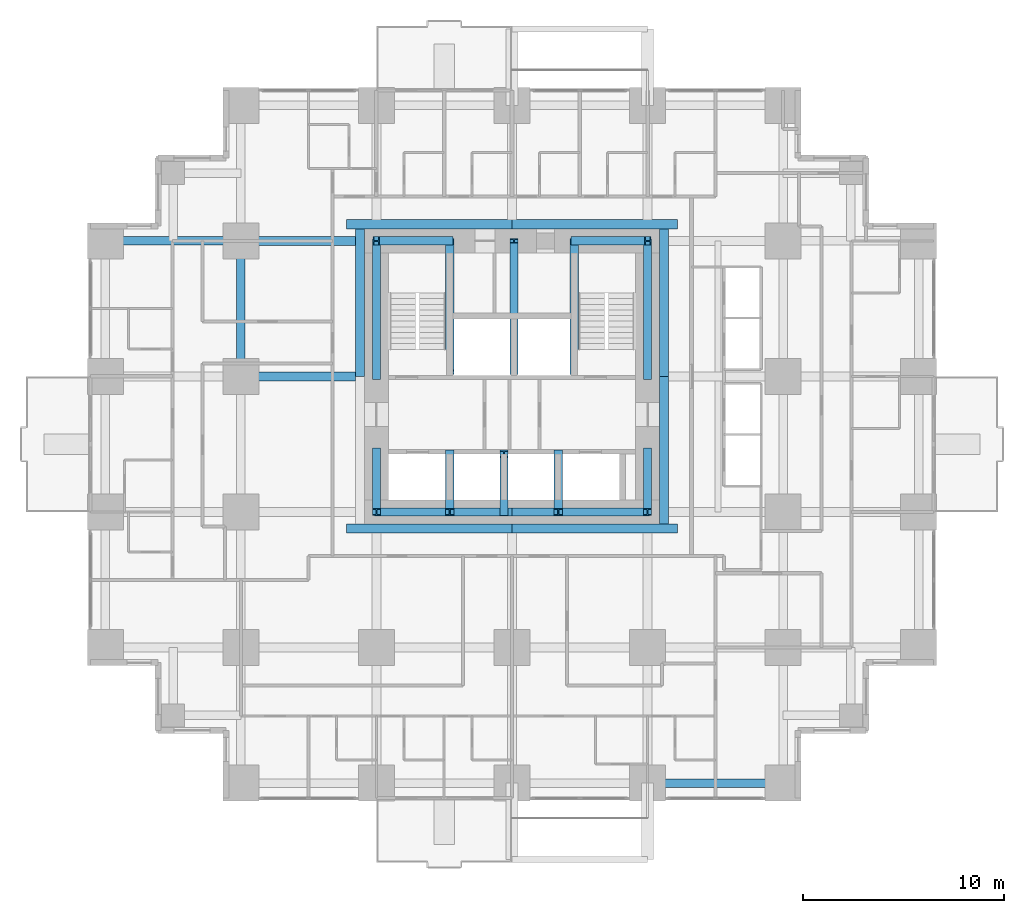
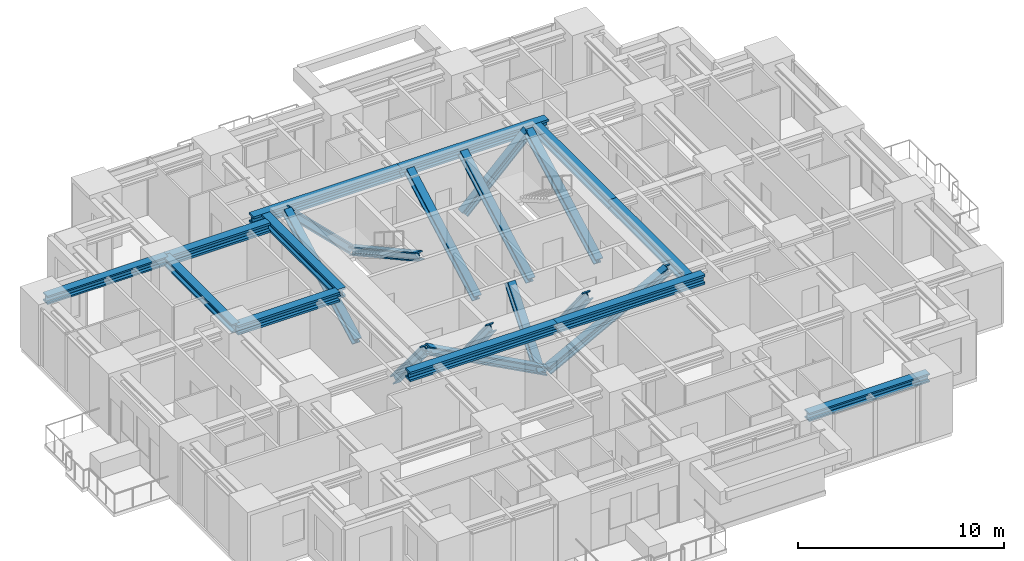
# One storey, part 3 of 13: 14 members, 12 beams.
"""IFC4 building model written with IfcOpenShell, lengths in metres."""

from ifc_helpers import new_model, si_unit, direction, frame, origin, origin_2d, place, context, subcontext, project, spatial, i_section, extrude, material, material_profile, profile_set, type_object, element, save


model = new_model("IFC4")

# Units and contexts
model_context = context("Model", 3, precision=1e-05, world=origin(), true_north=direction((0.0, 1.0)))
body_context = subcontext(model_context, "Body", "Model", "MODEL_VIEW")
ifc_project = project(units=[si_unit("LENGTHUNIT", "METRE"), si_unit("AREAUNIT", "SQUARE_METRE"), si_unit("VOLUMEUNIT", "CUBIC_METRE"), si_unit("PLANEANGLEUNIT", "RADIAN"), si_unit("MASSUNIT", "GRAM", prefix="KILO")], contexts=[model_context])

# Site, building, storey
site_placement = place(None, origin())
site = spatial("IfcSite", under=ifc_project, at=site_placement, CompositionType="ELEMENT")
building_placement = place(site_placement, origin())
building = spatial("IfcBuilding", under=site, at=building_placement, Name="Nyansa Garden Tower", CompositionType="ELEMENT")
storey_placement = place(building_placement, frame((0.0, 0.0, 87.300048828125)))
storey = spatial("IfcBuildingStorey", under=building, at=storey_placement, Name="L23", CompositionType="ELEMENT", Elevation=87.300048828125)

# Members
ifc_material_1 = material(Name="Steel S355", Category="steel")
ifc_material_profile_1 = material_profile(ifc_material_1, i_section(OverallWidth=0.41796875, OverallDepth=0.455078125, WebThickness=0.0419921875, FlangeThickness=0.067626953125, FilletRadius=0.014892578125, at=origin_2d()), Name="HD 400x463")
ifc_profile_set_1 = profile_set([ifc_material_profile_1], Name="Steel S355")
member_type = type_object("IfcMemberType", Name="Perimeter brace HD 400x463", PredefinedType="BRACE", material=ifc_profile_set_1)
for number, where, z_axis, x_axis, name in (
    (1, (20.25, 13.5, 0.0), (-0.882360891967, 0.0, 0.470573327259), (0.0, -1.0, 0.0), "Core brace CS1 L23"),
    (2, (20.25, 13.5, 0.0), (0.882360891967, 0.0, 0.470573327259), (0.0, 1.0, 0.0), "Core brace CS2 L23"),
):
    element("IfcMember", number, at=place(storey_placement, frame(where, z_axis=z_axis, x_axis=x_axis)), inside=storey, type_object=member_type, Name=name, PredefinedType="BRACE", context=body_context, shape_type="SweptSolid", body=[
        extrude(i_section(OverallWidth=0.41796875, OverallDepth=0.455078125, WebThickness=0.0419921875, FlangeThickness=0.067626953125, FilletRadius=0.014892578125, at=origin_2d()), origin(), (0.0, 0.0, 1.0), 7.64990234375),
    ])
for number, where, z_axis, x_axis, name in (
    (3, (17.14990234375, 27.0, 0.0), (-0.711971340796, 0.0, 0.702208523079), (0.0, -1.0, 0.0), "Core brace CN3 L23"),
    (4, (23.35009765625, 27.0, 0.0), (0.711971340796, 0.0, 0.702208523079), (0.0, 1.0, 0.0), "Core brace CN4 L23"),
):
    element("IfcMember", number, at=place(storey_placement, frame(where, z_axis=z_axis, x_axis=x_axis)), inside=storey, type_object=member_type, Name=name, PredefinedType="BRACE", context=body_context, shape_type="SweptSolid", body=[
        extrude(i_section(OverallWidth=0.41796875, OverallDepth=0.455078125, WebThickness=0.0419921875, FlangeThickness=0.067626953125, FilletRadius=0.014892578125, at=origin_2d()), origin(), (0.0, 0.0, 1.0), 5.12646484375),
    ])
member_1_placement = place(storey_placement, frame((13.5, 16.5, 0.0), z_axis=(0.0, -0.640199773186, 0.768208468069), x_axis=(1.0, 0.0, 0.0)))
element("IfcMember", 5, at=member_1_placement, inside=storey, type_object=member_type, Name="Core brace CW5 L23", PredefinedType="BRACE", context=body_context, shape_type="SweptSolid", body=[
    extrude(i_section(OverallWidth=0.41796875, OverallDepth=0.455078125, WebThickness=0.0419921875, FlangeThickness=0.067626953125, FilletRadius=0.014892578125, at=origin_2d()), origin(), (0.0, 0.0, 1.0), 4.68603515625),
])
member_2_placement = place(storey_placement, frame((13.5, 20.199951171875, 0.0), z_axis=(0.0, 0.883797178129, 0.467870225524), x_axis=(-1.0, 0.0, 0.0)))
element("IfcMember", 6, at=member_2_placement, inside=storey, type_object=member_type, Name="Core brace CW6 L23", PredefinedType="BRACE", context=body_context, shape_type="SweptSolid", body=[
    extrude(i_section(OverallWidth=0.41796875, OverallDepth=0.455078125, WebThickness=0.0419921875, FlangeThickness=0.067626953125, FilletRadius=0.014892578125, at=origin_2d()), origin(), (0.0, 0.0, 1.0), 7.694091796875),
])
member_3_placement = place(storey_placement, frame((27.0, 16.5, 0.0), z_axis=(0.0, -0.640199773186, 0.768208468069), x_axis=(1.0, 0.0, 0.0)))
element("IfcMember", 7, at=member_3_placement, inside=storey, type_object=member_type, Name="Core brace CE7 L23", PredefinedType="BRACE", context=body_context, shape_type="SweptSolid", body=[
    extrude(i_section(OverallWidth=0.41796875, OverallDepth=0.455078125, WebThickness=0.0419921875, FlangeThickness=0.067626953125, FilletRadius=0.014892578125, at=origin_2d()), origin(), (0.0, 0.0, 1.0), 4.68603515625),
])
member_4_placement = place(storey_placement, frame((27.0, 20.199951171875, 0.0), z_axis=(0.0, 0.883797178129, 0.467870225524), x_axis=(-1.0, 0.0, 0.0)))
element("IfcMember", 8, at=member_4_placement, inside=storey, type_object=member_type, Name="Core brace CE8 L23", PredefinedType="BRACE", context=body_context, shape_type="SweptSolid", body=[
    extrude(i_section(OverallWidth=0.41796875, OverallDepth=0.455078125, WebThickness=0.0419921875, FlangeThickness=0.067626953125, FilletRadius=0.014892578125, at=origin_2d()), origin(), (0.0, 0.0, 1.0), 7.694091796875),
])
for number, where, z_axis, x_axis, name in (
    (9, (17.14990234375, 27.0, 0.0), (0.0, -0.876366901673, 0.481644115143), (1.0, 0.0, 0.0), "Core brace CWS9 L23"),
    (10, (23.35009765625, 20.449951171875, 0.0), (0.0, 0.876366901673, 0.481644115143), (-1.0, 0.0, 0.0), "Core brace CES10 L23"),
):
    element("IfcMember", number, at=place(storey_placement, frame(where, z_axis=z_axis, x_axis=x_axis)), inside=storey, type_object=member_type, Name=name, PredefinedType="BRACE", context=body_context, shape_type="SweptSolid", body=[
        extrude(i_section(OverallWidth=0.41796875, OverallDepth=0.455078125, WebThickness=0.0419921875, FlangeThickness=0.067626953125, FilletRadius=0.014892578125, at=origin_2d()), origin(), (0.0, 0.0, 1.0), 7.47412109375),
    ])
for number, where, z_axis, x_axis, name in (
    (11, (17.14990234375, 16.39990234375, 0.0), (0.0, -0.627332207022, 0.778751758928), (1.0, 0.0, 0.0), "Core brace CSW11 L23"),
    (12, (19.85009765625, 13.5, 0.0), (0.0, 0.627332207022, 0.778751758928), (-1.0, 0.0, 0.0), "Core brace CSW12 L23"),
    (13, (22.550048828125, 16.39990234375, 0.0), (0.0, -0.627332207022, 0.778751758928), (1.0, 0.0, 0.0), "Core brace CSW13 L23"),
):
    element("IfcMember", number, at=place(storey_placement, frame(where, z_axis=z_axis, x_axis=x_axis)), inside=storey, type_object=member_type, Name=name, PredefinedType="BRACE", context=body_context, shape_type="SweptSolid", body=[
        extrude(i_section(OverallWidth=0.41796875, OverallDepth=0.455078125, WebThickness=0.0419921875, FlangeThickness=0.067626953125, FilletRadius=0.014892578125, at=origin_2d()), origin(), (0.0, 0.0, 1.0), 4.62255859375),
    ])
member_5_placement = place(storey_placement, frame((20.35009765625, 20.449951171875, 0.0), z_axis=(0.0, 0.876366901673, 0.481644115143), x_axis=(-1.0, 0.0, 0.0)))
element("IfcMember", 14, at=member_5_placement, inside=storey, type_object=member_type, Name="Core brace CNW14 L23", PredefinedType="BRACE", context=body_context, shape_type="SweptSolid", body=[
    extrude(i_section(OverallWidth=0.41796875, OverallDepth=0.455078125, WebThickness=0.0419921875, FlangeThickness=0.067626953125, FilletRadius=0.014892578125, at=origin_2d()), origin(), (0.0, 0.0, 1.0), 7.47412109375),
])

# Beams
ifc_material_2 = material(Name="Steel S355", Category="steel")
ifc_material_profile_2 = material_profile(ifc_material_2, i_section(OverallWidth=0.431884765625, OverallDepth=0.498046875, WebThickness=0.0556640625, FlangeThickness=0.0888671875, FilletRadius=0.014892578125, at=origin_2d()), Name="HD 400x744")
ifc_profile_set_2 = profile_set([ifc_material_profile_2], Name="Steel S355")
beam_type_1 = type_object("IfcBeamType", Name="Steel beam SBB1-744 HD 400x744", PredefinedType="BEAM", material=ifc_profile_set_2)
for number, where, z_axis, x_axis, name in (
    (15, (0.0, 27.0, 3.1259765625), (1.0, 0.0, 0.0), (0.0, 1.0, 0.0), "Steel beam 2/H-3/H L24"),
    (16, (6.75, 20.25, 3.1259765625), (0.0, 1.0, 0.0), (-1.0, 0.0, 0.0), "Steel beam 3/G-3/H L24"),
):
    element("IfcBeam", number, at=place(storey_placement, frame(where, z_axis=z_axis, x_axis=x_axis)), inside=storey, type_object=beam_type_1, Name=name, PredefinedType="BEAM", context=body_context, shape_type="SweptSolid", body=[
        extrude(i_section(OverallWidth=0.431884765625, OverallDepth=0.498046875, WebThickness=0.0556640625, FlangeThickness=0.0888671875, FilletRadius=0.014892578125, at=origin_2d()), origin(), (0.0, 0.0, 1.0), 6.75),
    ])
ifc_material_3 = material(Name="Steel S355", Category="steel")
ifc_material_profile_3 = material_profile(ifc_material_3, i_section(OverallWidth=0.4541015625, OverallDepth=0.569091796875, WebThickness=0.077880859375, FlangeThickness=0.125, FilletRadius=0.014892578125, at=origin_2d()), Name="HD 400x1086")
ifc_profile_set_3 = profile_set([ifc_material_profile_3], Name="Steel S355")
beam_type_2 = type_object("IfcBeamType", Name="Steel beam SCL-1086 HD 400x1086", PredefinedType="BEAM", material=ifc_profile_set_3)
for number, where, z_axis, x_axis, name in (
    (17, (6.75, 20.25, 3.09033203125), (1.0, 0.0, 0.0), (0.0, 1.0, 0.0), "Steel beam 3/G-12.450/G L24"),
    (18, (6.75, 27.0, 3.09033203125), (1.0, 0.0, 0.0), (0.0, 1.0, 0.0), "Steel beam 3/H-12.450/H L24"),
):
    element("IfcBeam", number, at=place(storey_placement, frame(where, z_axis=z_axis, x_axis=x_axis)), inside=storey, type_object=beam_type_2, Name=name, PredefinedType="BEAM", context=body_context, shape_type="SweptSolid", body=[
        extrude(i_section(OverallWidth=0.4541015625, OverallDepth=0.569091796875, WebThickness=0.077880859375, FlangeThickness=0.125, FilletRadius=0.014892578125, at=origin_2d()), origin(), (0.0, 0.0, 1.0), 5.699951171875),
    ])
for number, where, z_axis, x_axis, name in (
    (19, (12.0, 12.673095703125, 3.09033203125), (1.0, 0.0, 0.0), (0.0, 1.0, 0.0), "Steel core ledger beam S.1 L24"),
    (20, (20.25, 12.673095703125, 3.09033203125), (1.0, 0.0, 0.0), (0.0, 1.0, 0.0), "Steel core ledger beam S.2 L24"),
):
    element("IfcBeam", number, at=place(storey_placement, frame(where, z_axis=z_axis, x_axis=x_axis)), inside=storey, type_object=beam_type_2, Name=name, PredefinedType="BEAM", context=body_context, shape_type="SweptSolid", body=[
        extrude(i_section(OverallWidth=0.4541015625, OverallDepth=0.569091796875, WebThickness=0.077880859375, FlangeThickness=0.125, FilletRadius=0.014892578125, at=origin_2d()), origin(), (0.0, 0.0, 1.0), 8.25),
    ])
for number, where, z_axis, x_axis, name in (
    (21, (27.826904296875, 12.89990234375, 3.09033203125), (0.0, 1.0, 0.0), (-1.0, 0.0, 0.0), "Steel core ledger beam E.1 L24"),
    (22, (27.826904296875, 20.25, 3.09033203125), (0.0, 1.0, 0.0), (-1.0, 0.0, 0.0), "Steel core ledger beam E.2 L24"),
):
    element("IfcBeam", number, at=place(storey_placement, frame(where, z_axis=z_axis, x_axis=x_axis)), inside=storey, type_object=beam_type_2, Name=name, PredefinedType="BEAM", context=body_context, shape_type="SweptSolid", body=[
        extrude(i_section(OverallWidth=0.4541015625, OverallDepth=0.569091796875, WebThickness=0.077880859375, FlangeThickness=0.125, FilletRadius=0.014892578125, at=origin_2d()), origin(), (0.0, 0.0, 1.0), 7.35009765625),
    ])
for number, where, z_axis, x_axis, name in (
    (23, (28.5, 27.826904296875, 3.09033203125), (-1.0, 0.0, 0.0), (0.0, -1.0, 0.0), "Steel core ledger beam N.1 L24"),
    (24, (20.25, 27.826904296875, 3.09033203125), (-1.0, 0.0, 0.0), (0.0, -1.0, 0.0), "Steel core ledger beam N.2 L24"),
):
    element("IfcBeam", number, at=place(storey_placement, frame(where, z_axis=z_axis, x_axis=x_axis)), inside=storey, type_object=beam_type_2, Name=name, PredefinedType="BEAM", context=body_context, shape_type="SweptSolid", body=[
        extrude(i_section(OverallWidth=0.4541015625, OverallDepth=0.569091796875, WebThickness=0.077880859375, FlangeThickness=0.125, FilletRadius=0.014892578125, at=origin_2d()), origin(), (0.0, 0.0, 1.0), 8.25),
    ])
beam_1_placement = place(storey_placement, frame((12.673095703125, 27.60009765625, 3.09033203125), z_axis=(0.0, -1.0, 0.0), x_axis=(1.0, 0.0, 0.0)))
element("IfcBeam", 25, at=beam_1_placement, inside=storey, type_object=beam_type_2, Name="Steel core ledger beam W.1 L24", PredefinedType="BEAM", context=body_context, shape_type="SweptSolid", body=[
    extrude(i_section(OverallWidth=0.4541015625, OverallDepth=0.569091796875, WebThickness=0.077880859375, FlangeThickness=0.125, FilletRadius=0.014892578125, at=origin_2d()), origin(), (0.0, 0.0, 1.0), 7.35009765625),
])
ifc_material_4 = material(Name="Steel S355", Category="steel")
ifc_material_profile_4 = material_profile(ifc_material_4, i_section(OverallWidth=0.431884765625, OverallDepth=0.498046875, WebThickness=0.0556640625, FlangeThickness=0.0888671875, FilletRadius=0.014892578125, at=origin_2d()), Name="HD 400x744")
ifc_profile_set_4 = profile_set([ifc_material_profile_4], Name="Steel S355")
beam_type_3 = type_object("IfcBeamType", Name="Steel beam SEBB-744 HD 400x744", PredefinedType="BEAM", material=ifc_profile_set_4)
beam_2_placement = place(storey_placement, frame((27.0, 0.0, 3.1259765625), z_axis=(1.0, 0.0, 0.0), x_axis=(0.0, 1.0, 0.0)))
element("IfcBeam", 26, at=beam_2_placement, inside=storey, type_object=beam_type_3, Name="Steel edge beam 6/D-7/D L24", PredefinedType="BEAM", context=body_context, shape_type="SweptSolid", body=[
    extrude(i_section(OverallWidth=0.431884765625, OverallDepth=0.498046875, WebThickness=0.0556640625, FlangeThickness=0.0888671875, FilletRadius=0.014892578125, at=origin_2d()), origin(), (0.0, 0.0, 1.0), 6.75),
])

save(model, "model.ifc")
